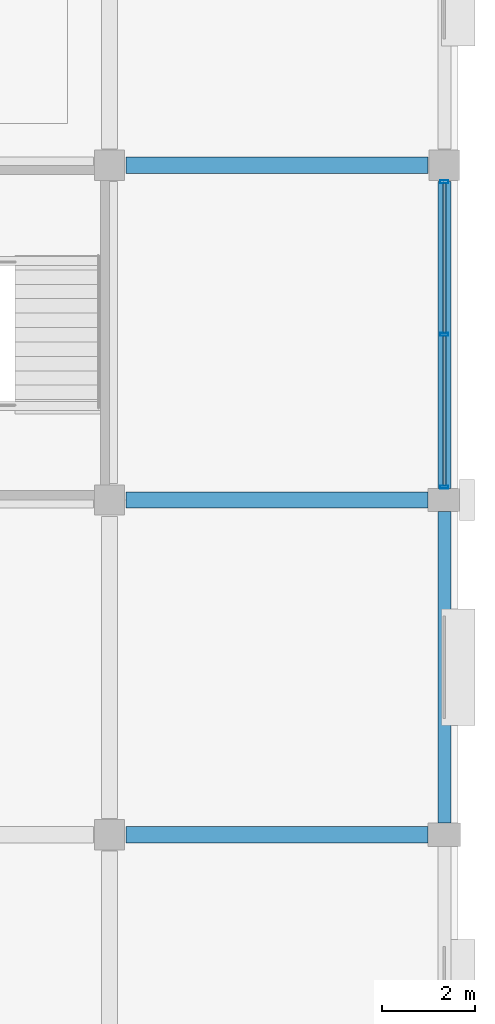
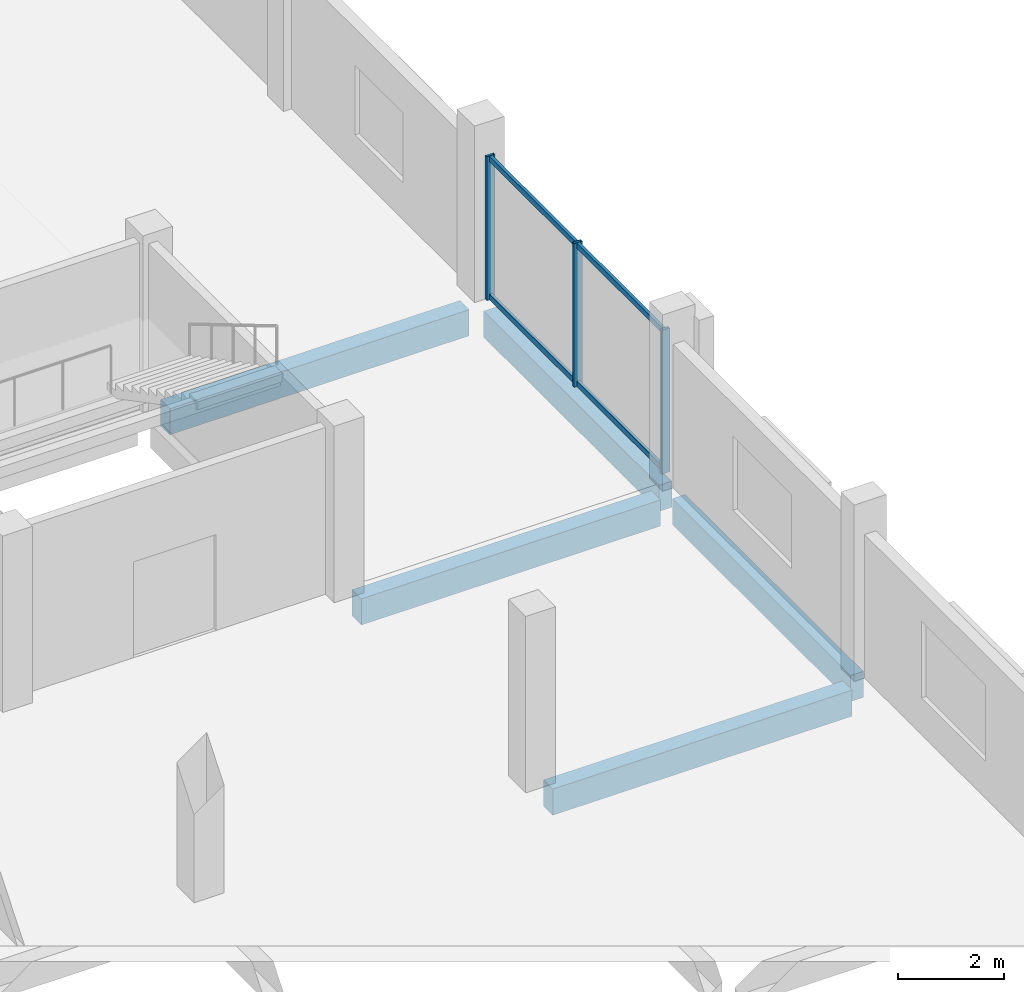
# One storey, part 46 of 77: 7 members, 5 beams, 1 element without a shape of its own.
"""IFC4 building model written with IfcOpenShell, lengths in metres."""

from ifc_helpers import new_model, si_unit, direction, frame, origin, origin_2d, place, context, subcontext, project, spatial, rectangle, hollow_rectangle, extrude, material, layer, layer_set, material_profile, profile_set, type_object, element, aggregate, save


model = new_model("IFC4")

# Units and contexts
model_context = context("Model", 3, precision=1e-05, world=origin(), true_north=direction((0.0, 1.0)))
body_context = subcontext(model_context, "Body", "Model", "MODEL_VIEW")
ifc_project = project(units=[si_unit("LENGTHUNIT", "METRE"), si_unit("AREAUNIT", "SQUARE_METRE"), si_unit("VOLUMEUNIT", "CUBIC_METRE"), si_unit("PLANEANGLEUNIT", "RADIAN"), si_unit("MASSUNIT", "GRAM", prefix="KILO")], contexts=[model_context])

# Site, building, storey
site_placement = place(None, origin())
site = spatial("IfcSite", under=ifc_project, at=site_placement, CompositionType="ELEMENT")
building_placement = place(site_placement, origin())
building = spatial("IfcBuilding", under=site, at=building_placement, Name="Kangsadwip Square Police Headquarters", CompositionType="ELEMENT")
storey_placement = place(building_placement, frame((0.0, 0.0, 17.550048828125)))
storey = spatial("IfcBuildingStorey", under=building, at=storey_placement, Name="L04", CompositionType="ELEMENT", Elevation=17.550048828125)

# Curtain wall, members
ifc_material_1 = material(Name="Thermally broken anodised aluminium AW-6063-T6", Category="aluminium")
ifc_layer = layer(ifc_material_1, 0.159912109375)
ifc_layer_set = layer_set([ifc_layer], Name="Thermally broken anodised aluminium AW-6063-T6")
curtain_wall_type = type_object("IfcCurtainWallType", Name="UnitisedCw6635x3300", PredefinedType="NOTDEFINED", material=ifc_layer_set)
curtain_wall_placement = place(storey_placement, origin())
curtain_wall = element("IfcCurtainWall", 1, at=curtain_wall_placement, inside=storey, type_object=curtain_wall_type, Name="Curtain Wall CW-L04-1656-0938", PredefinedType="NOTDEFINED")
ifc_material_2 = material(Name="Thermally broken anodised aluminium AW-6063-T6", Category="aluminium")
ifc_material_profile_1 = material_profile(ifc_material_2, hollow_rectangle(XDim=0.06494140625, YDim=0.179931640625, WallThickness=0.00390625, at=origin_2d()), Name="CWM 180X65X4")
ifc_profile_set_1 = profile_set([ifc_material_profile_1], Name="Thermally broken anodised aluminium AW-6063-T6")
member_type_1 = type_object("IfcMemberType", Name="CwMullion160x65", PredefinedType="MULLION", material=ifc_profile_set_1)
member_1_placement = place(storey_placement, frame((165.60009765625, 93.87744140625, 0.0), z_axis=(0.0, 0.0, 1.0), x_axis=(0.0, 1.0, 0.0)))
member_1 = element("IfcMember", 2, at=member_1_placement, type_object=member_type_1, Name="CW-49 mullion 1", PredefinedType="MULLION", context=body_context, shape_type="SweptSolid", body=[
    extrude(hollow_rectangle(XDim=0.06494140625, YDim=0.179931640625, WallThickness=0.00390625, at=origin_2d()), origin(), (0.0, 0.0, 1.0), 3.300048828125),
])
member_2_placement = place(storey_placement, frame((165.60009765625, 97.16259765625, 0.0), z_axis=(0.0, 0.0, 1.0), x_axis=(0.0, 1.0, 0.0)))
member_2 = element("IfcMember", 3, at=member_2_placement, type_object=member_type_1, Name="CW-49 mullion 2", PredefinedType="MULLION", context=body_context, shape_type="SweptSolid", body=[
    extrude(hollow_rectangle(XDim=0.06494140625, YDim=0.179931640625, WallThickness=0.00390625, at=origin_2d()), origin(), (0.0, 0.0, 1.0), 3.300048828125),
])
member_3_placement = place(storey_placement, frame((165.60009765625, 100.447509765625, 0.0), z_axis=(0.0, 0.0, 1.0), x_axis=(0.0, 1.0, 0.0)))
member_3 = element("IfcMember", 4, at=member_3_placement, type_object=member_type_1, Name="CW-49 mullion 3", PredefinedType="MULLION", context=body_context, shape_type="SweptSolid", body=[
    extrude(hollow_rectangle(XDim=0.06494140625, YDim=0.179931640625, WallThickness=0.00390625, at=origin_2d()), origin(), (0.0, 0.0, 1.0), 3.300048828125),
])
ifc_material_3 = material(Name="Thermally broken anodised aluminium AW-6063-T6", Category="aluminium")
ifc_material_profile_2 = material_profile(ifc_material_3, hollow_rectangle(XDim=0.06494140625, YDim=0.1298828125, WallThickness=0.00390625, at=origin_2d()), Name="CWT 130X65X4")
ifc_profile_set_2 = profile_set([ifc_material_profile_2], Name="Thermally broken anodised aluminium AW-6063-T6")
member_type_2 = type_object("IfcMemberType", Name="CwTransom140x60", PredefinedType="USERDEFINED", material=ifc_profile_set_2)
member_4_placement = place(storey_placement, frame((165.60009765625, 93.909912109375, 0.06494140625), z_axis=(0.0, 1.0, 0.0), x_axis=(-1.0, 0.0, 0.0)))
member_4 = element("IfcMember", 5, at=member_4_placement, type_object=member_type_2, Name="CW-49 transom 1.1", ObjectType="TRANSOM", PredefinedType="USERDEFINED", context=body_context, shape_type="SweptSolid", body=[
    extrude(hollow_rectangle(XDim=0.06494140625, YDim=0.1298828125, WallThickness=0.00390625, at=origin_2d()), origin(), (0.0, 0.0, 1.0), 3.219970703125),
])
member_5_placement = place(storey_placement, frame((165.60009765625, 93.909912109375, 3.23486328125), z_axis=(0.0, 1.0, 0.0), x_axis=(-1.0, 0.0, 0.0)))
member_5 = element("IfcMember", 6, at=member_5_placement, type_object=member_type_2, Name="CW-49 transom 1.2", ObjectType="TRANSOM", PredefinedType="USERDEFINED", context=body_context, shape_type="SweptSolid", body=[
    extrude(hollow_rectangle(XDim=0.06494140625, YDim=0.1298828125, WallThickness=0.00390625, at=origin_2d()), origin(), (0.0, 0.0, 1.0), 3.219970703125),
])
member_6_placement = place(storey_placement, frame((165.60009765625, 97.195068359375, 0.06494140625), z_axis=(0.0, 1.0, 0.0), x_axis=(-1.0, 0.0, 0.0)))
member_6 = element("IfcMember", 7, at=member_6_placement, type_object=member_type_2, Name="CW-49 transom 2.1", ObjectType="TRANSOM", PredefinedType="USERDEFINED", context=body_context, shape_type="SweptSolid", body=[
    extrude(hollow_rectangle(XDim=0.06494140625, YDim=0.1298828125, WallThickness=0.00390625, at=origin_2d()), origin(), (0.0, 0.0, 1.0), 3.219970703125),
])
member_7_placement = place(storey_placement, frame((165.60009765625, 97.195068359375, 3.23486328125), z_axis=(0.0, 1.0, 0.0), x_axis=(-1.0, 0.0, 0.0)))
member_7 = element("IfcMember", 8, at=member_7_placement, type_object=member_type_2, Name="CW-49 transom 2.2", ObjectType="TRANSOM", PredefinedType="USERDEFINED", context=body_context, shape_type="SweptSolid", body=[
    extrude(hollow_rectangle(XDim=0.06494140625, YDim=0.1298828125, WallThickness=0.00390625, at=origin_2d()), origin(), (0.0, 0.0, 1.0), 3.219970703125),
])
aggregate(curtain_wall, [member_1, member_2, member_3, member_4, member_5, member_6, member_7])

# Beams
ifc_material_4 = material(Name="Concrete M35 (35 MPa)", Category="concrete")
ifc_material_profile_3 = material_profile(ifc_material_4, rectangle(XDim=0.35009765625, YDim=0.60009765625, at=origin_2d()), Name="RC BM 600X350")
ifc_profile_set_3 = profile_set([ifc_material_profile_3], Name="Concrete M35 (35 MPa)")
beam_type_1 = type_object("IfcBeamType", Name="RcBeam600x350", PredefinedType="BEAM", material=ifc_profile_set_3)
for number, where, z_axis, x_axis, name in (
    (9, (158.75, 86.39990234375, -0.5400390625), (1.0, 0.0, 0.0), (0.0, 1.0, 0.0), "Beam BM-L04-X-22-12"),
    (10, (158.75, 93.60009765625, -0.5400390625), (1.0, 0.0, 0.0), (0.0, 1.0, 0.0), "Beam BM-L04-X-22-13"),
    (11, (158.75, 100.800048828125, -0.5400390625), (1.0, 0.0, 0.0), (0.0, 1.0, 0.0), "Beam BM-L04-X-22-14"),
):
    element("IfcBeam", number, at=place(storey_placement, frame(where, z_axis=z_axis, x_axis=x_axis)), inside=storey, type_object=beam_type_1, Name=name, PredefinedType="BEAM", context=body_context, shape_type="SweptSolid", body=[
        extrude(rectangle(XDim=0.35009765625, YDim=0.60009765625, at=origin_2d()), origin(), (0.0, 0.0, 1.0), 6.5),
    ])
ifc_material_5 = material(Name="Concrete M40 (40 MPa)", Category="concrete")
ifc_material_profile_4 = material_profile(ifc_material_5, rectangle(XDim=0.280029296875, YDim=0.60009765625, at=origin_2d()), Name="RC SPN 600X280")
ifc_profile_set_4 = profile_set([ifc_material_profile_4], Name="Concrete M40 (40 MPa)")
beam_type_2 = type_object("IfcBeamType", Name="RcSpandrel600x280", PredefinedType="SPANDREL", material=ifc_profile_set_4)
beam_1_placement = place(storey_placement, frame((165.60009765625, 86.64990234375, -0.5400390625), z_axis=(0.0, 1.0, 0.0), x_axis=(-1.0, 0.0, 0.0)))
element("IfcBeam", 12, at=beam_1_placement, inside=storey, type_object=beam_type_2, Name="Beam BM-L04-Y-23-12", PredefinedType="SPANDREL", context=body_context, shape_type="SweptSolid", body=[
    extrude(rectangle(XDim=0.280029296875, YDim=0.60009765625, at=origin_2d()), origin(), (0.0, 0.0, 1.0), 6.7001953125),
])
beam_2_placement = place(storey_placement, frame((165.60009765625, 93.85009765625, -0.5400390625), z_axis=(0.0, 1.0, 0.0), x_axis=(-1.0, 0.0, 0.0)))
element("IfcBeam", 13, at=beam_2_placement, inside=storey, type_object=beam_type_2, Name="Beam BM-L04-Y-23-13", PredefinedType="SPANDREL", context=body_context, shape_type="SweptSolid", body=[
    extrude(rectangle(XDim=0.280029296875, YDim=0.60009765625, at=origin_2d()), origin(), (0.0, 0.0, 1.0), 6.599853515625),
])

save(model, "model.ifc")
